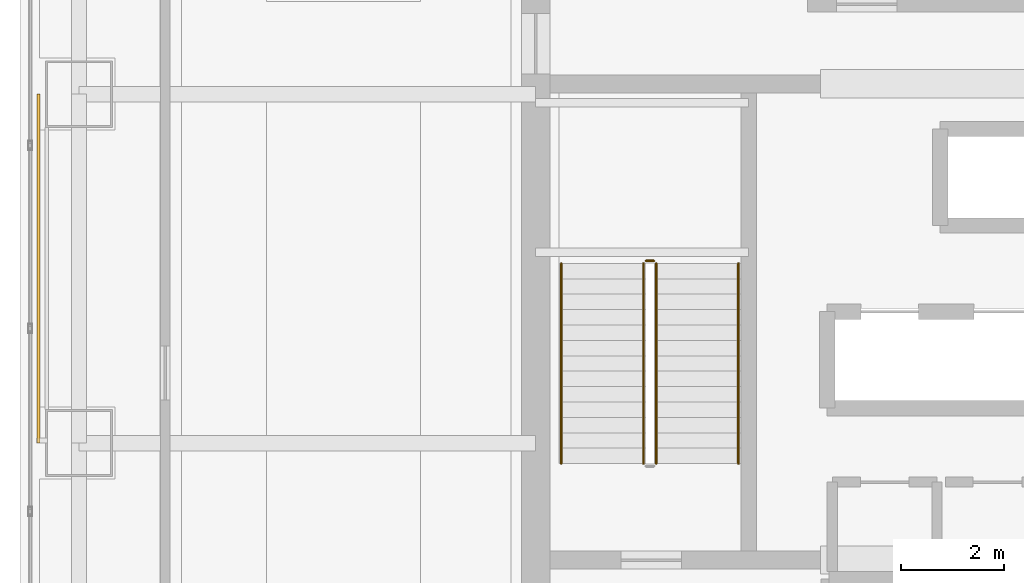
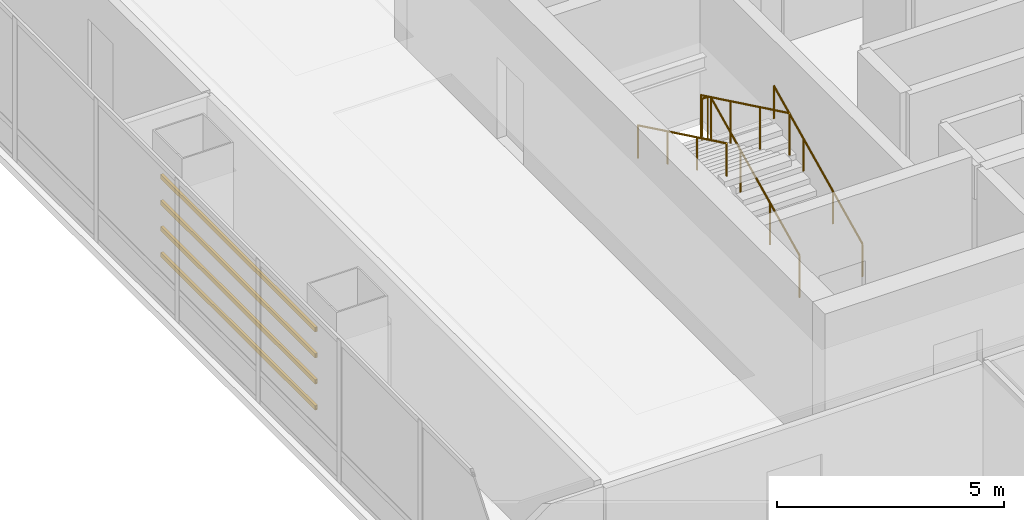
# One storey, part 39 of 42: 5 railings, 4 shading devices.
"""IFC4 building model written with IfcOpenShell, lengths in metres."""

from ifc_helpers import new_model, si_unit, direction, frame, origin, origin_2d, place, context, subcontext, project, spatial, hollow_rectangle, circle, extrude, material, material_profile, profile_set, type_object, element, save


model = new_model("IFC4")

# Units and contexts
model_context = context("Model", 3, precision=1e-05, world=origin(), true_north=direction((0.0, 1.0)))
body_context = subcontext(model_context, "Body", "Model", "MODEL_VIEW")
ifc_project = project(units=[si_unit("LENGTHUNIT", "METRE"), si_unit("AREAUNIT", "SQUARE_METRE"), si_unit("VOLUMEUNIT", "CUBIC_METRE"), si_unit("PLANEANGLEUNIT", "RADIAN"), si_unit("MASSUNIT", "GRAM", prefix="KILO")], contexts=[model_context])

# Site, building, storey
site_placement = place(None, origin())
site = spatial("IfcSite", under=ifc_project, at=site_placement, CompositionType="ELEMENT")
building_placement = place(site_placement, origin())
building = spatial("IfcBuilding", under=site, at=building_placement, Name="Punatoya Terracotta Tower", CompositionType="ELEMENT")
storey_placement = place(building_placement, frame((0.0, 0.0, 263.550048828125)))
storey = spatial("IfcBuildingStorey", under=building, at=storey_placement, Name="L62", CompositionType="ELEMENT", Elevation=263.550048828125)

# Railings
ifc_material_1 = material(Name="Steel S355", Category="steel")
railing_type_1 = type_object("IfcRailingType", Name="RLG-GRD-1150", PredefinedType="GUARDRAIL", material=ifc_material_1)
railing_1_placement = place(storey_placement, frame((-7.85009765625, -3.800048828125, 0.14453125)))
element("IfcRailing", 1, at=railing_1_placement, inside=storey, type_object=railing_type_1, Name="L62 ST-1 stair guard 1", PredefinedType="GUARDRAIL", context=body_context, shape_type="SweptSolid", body=[
    extrude(circle(Radius=0.02392578125, at=origin_2d()), frame((0.0, 0.0, 1.1259765625), z_axis=(0.0, 0.900773802044, 0.434288564841), x_axis=(-1.0, 0.0, 0.0)), (0.0, 0.0, 1.0), 4.329833984375),
    extrude(circle(Radius=0.02099609375, at=origin_2d()), origin(), (0.0, 0.0, 1.0), 1.101806640625),
    extrude(circle(Radius=0.02099609375, at=origin_2d()), frame((0.0, 1.300048828125, 0.626708984375)), (0.0, 0.0, 1.0), 1.101806640625),
    extrude(circle(Radius=0.02099609375, at=origin_2d()), frame((0.0, 2.60009765625, 1.253662109375)), (0.0, 0.0, 1.0), 1.101806640625),
    extrude(circle(Radius=0.02099609375, at=origin_2d()), frame((0.0, 3.900146484375, 1.88037109375)), (0.0, 0.0, 1.0), 1.101806640625),
])
railing_2_placement = place(storey_placement, frame((-7.89990234375, 0.14990234375, 2.02490234375)))
element("IfcRailing", 2, at=railing_2_placement, inside=storey, type_object=railing_type_1, Name="L62 ST-1 stair guard 2", PredefinedType="GUARDRAIL", context=body_context, shape_type="SweptSolid", body=[
    extrude(circle(Radius=0.02392578125, at=origin_2d()), frame((0.0, 0.0, 1.1259765625), z_axis=(-1.0, 0.0, 0.0), x_axis=(0.0, -1.0, 0.0)), (0.0, 0.0, 1.0), 0.150146484375),
    extrude(circle(Radius=0.02099609375, at=origin_2d()), origin(), (0.0, 0.0, 1.0), 1.101806640625),
    extrude(circle(Radius=0.02099609375, at=origin_2d()), frame((-0.150146484375, 0.0, 0.0)), (0.0, 0.0, 1.0), 1.101806640625),
])
railing_3_placement = place(storey_placement, frame((-8.10009765625, 0.10009765625, 2.169677734375)))
element("IfcRailing", 3, at=railing_3_placement, inside=storey, type_object=railing_type_1, Name="L62 ST-1 stair guard 3", PredefinedType="GUARDRAIL", context=body_context, shape_type="SweptSolid", body=[
    extrude(circle(Radius=0.02392578125, at=origin_2d()), frame((0.0, 0.0, 1.1259765625), z_axis=(0.0, -0.900773802044, 0.434288564841), x_axis=(1.0, 0.0, 0.0)), (0.0, 0.0, 1.0), 4.329833984375),
    extrude(circle(Radius=0.02099609375, at=origin_2d()), origin(), (0.0, 0.0, 1.0), 1.101806640625),
    extrude(circle(Radius=0.02099609375, at=origin_2d()), frame((0.0, -1.300048828125, 0.626708984375)), (0.0, 0.0, 1.0), 1.101806640625),
    extrude(circle(Radius=0.02099609375, at=origin_2d()), frame((0.0, -2.60009765625, 1.253662109375)), (0.0, 0.0, 1.0), 1.101806640625),
    extrude(circle(Radius=0.02099609375, at=origin_2d()), frame((0.0, -3.900146484375, 1.88037109375)), (0.0, 0.0, 1.0), 1.101806640625),
])
railing_type_2 = type_object("IfcRailingType", Name="RLG-HND-900", PredefinedType="HANDRAIL", material=ifc_material_1)
railing_4_placement = place(storey_placement, frame((-6.25, -3.800048828125, 0.14453125)))
element("IfcRailing", 4, at=railing_4_placement, inside=storey, type_object=railing_type_2, Name="L62 ST-1 stair handrail 1", PredefinedType="HANDRAIL", context=body_context, shape_type="SweptSolid", body=[
    extrude(circle(Radius=0.02392578125, at=origin_2d()), frame((0.0, 0.0, 0.8759765625), z_axis=(0.0, 0.900773802044, 0.434288564841), x_axis=(-1.0, 0.0, 0.0)), (0.0, 0.0, 1.0), 4.329833984375),
    extrude(circle(Radius=0.02099609375, at=origin_2d()), origin(), (0.0, 0.0, 1.0), 0.851806640625),
    extrude(circle(Radius=0.02099609375, at=origin_2d()), frame((0.0, 1.300048828125, 0.626708984375)), (0.0, 0.0, 1.0), 0.851806640625),
    extrude(circle(Radius=0.02099609375, at=origin_2d()), frame((0.0, 2.60009765625, 1.253662109375)), (0.0, 0.0, 1.0), 0.851806640625),
    extrude(circle(Radius=0.02099609375, at=origin_2d()), frame((0.0, 3.900146484375, 1.88037109375)), (0.0, 0.0, 1.0), 0.851806640625),
])
railing_5_placement = place(storey_placement, frame((-9.699951171875, 0.10009765625, 2.169677734375)))
element("IfcRailing", 5, at=railing_5_placement, inside=storey, type_object=railing_type_2, Name="L62 ST-1 stair handrail 2", PredefinedType="HANDRAIL", context=body_context, shape_type="SweptSolid", body=[
    extrude(circle(Radius=0.02392578125, at=origin_2d()), frame((0.0, 0.0, 0.8759765625), z_axis=(0.0, -0.900773802044, 0.434288564841), x_axis=(1.0, 0.0, 0.0)), (0.0, 0.0, 1.0), 4.329833984375),
    extrude(circle(Radius=0.02099609375, at=origin_2d()), origin(), (0.0, 0.0, 1.0), 0.851806640625),
    extrude(circle(Radius=0.02099609375, at=origin_2d()), frame((0.0, -1.300048828125, 0.626708984375)), (0.0, 0.0, 1.0), 0.851806640625),
    extrude(circle(Radius=0.02099609375, at=origin_2d()), frame((0.0, -2.60009765625, 1.253662109375)), (0.0, 0.0, 1.0), 0.851806640625),
    extrude(circle(Radius=0.02099609375, at=origin_2d()), frame((0.0, -3.900146484375, 1.88037109375)), (0.0, 0.0, 1.0), 0.851806640625),
])

# Shading devices
ifc_material_2 = material(Name="Architectural Fired Terracotta", Category="masonry")
ifc_material_profile = material_profile(ifc_material_2, hollow_rectangle(XDim=0.06494140625, YDim=0.1201171875, WallThickness=0.014892578125, at=origin_2d()))
ifc_profile_set = profile_set([ifc_material_profile], Name="Architectural Fired Terracotta")
shading_device_type = type_object("IfcShadingDeviceType", Name="SHD-BAG-120", PredefinedType="USERDEFINED", material=ifc_profile_set)
for number, where, z_axis, x_axis, name in (
    (6, (-19.889892578125, -3.39990234375, 1.14990234375), (0.0, 1.0, 0.0), (-1.0, 0.0, 0.0), "L62 Fired Terracotta Baguette Louvre BAG-L62-W-01"),
    (7, (-19.889892578125, -3.39990234375, 1.849853515625), (0.0, 1.0, 0.0), (-1.0, 0.0, 0.0), "L62 Fired Terracotta Baguette Louvre BAG-L62-W-02"),
    (8, (-19.889892578125, -3.39990234375, 2.550048828125), (0.0, 1.0, 0.0), (-1.0, 0.0, 0.0), "L62 Fired Terracotta Baguette Louvre BAG-L62-W-03"),
    (9, (-19.889892578125, -3.39990234375, 3.25), (0.0, 1.0, 0.0), (-1.0, 0.0, 0.0), "L62 Fired Terracotta Baguette Louvre BAG-L62-W-04"),
):
    element("IfcShadingDevice", number, at=place(storey_placement, frame(where, z_axis=z_axis, x_axis=x_axis)), inside=storey, type_object=shading_device_type, Name=name, ObjectType="BAGUETTE", PredefinedType="USERDEFINED", context=body_context, shape_type="SweptSolid", body=[
        extrude(hollow_rectangle(XDim=0.06494140625, YDim=0.1201171875, WallThickness=0.014892578125, at=origin_2d()), origin(), (0.0, 0.0, 1.0), 6.7998046875),
    ])

save(model, "model.ifc")
